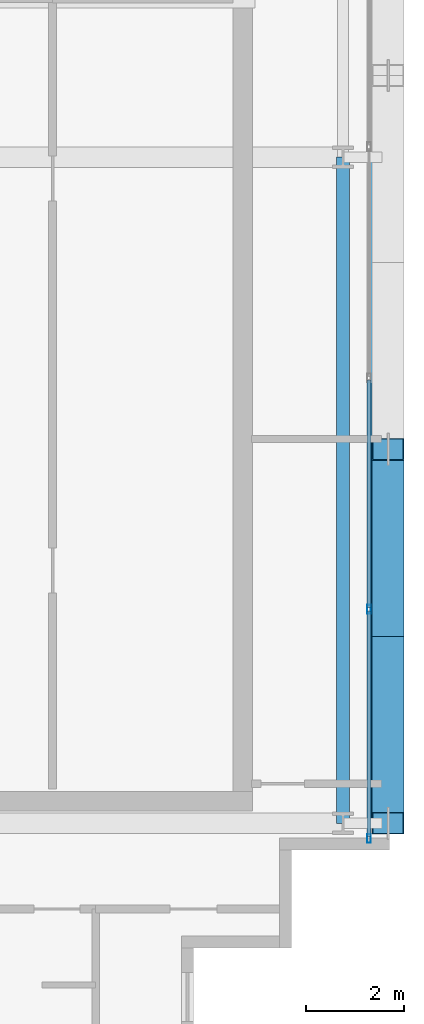
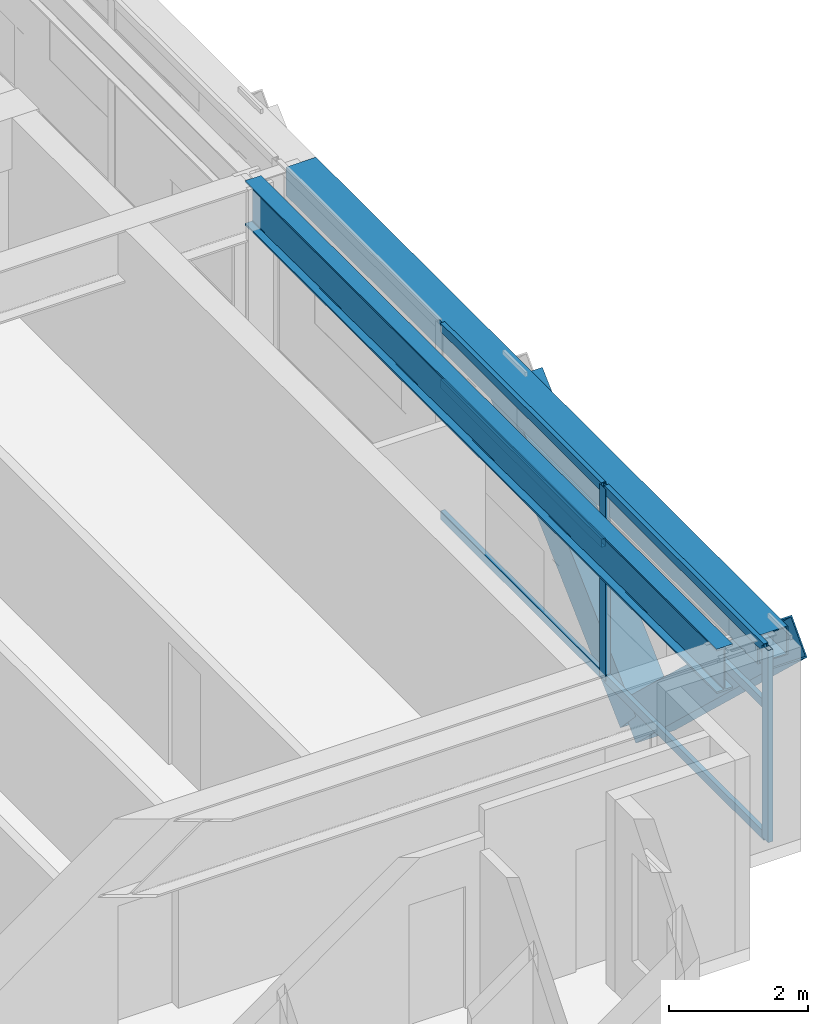
# One storey, part 10 of 27: 10 members, 2 beams, 1 element without a shape of its own.
"""IFC4 building model written with IfcOpenShell, lengths in metres."""

from ifc_helpers import new_model, si_unit, direction, frame, origin, origin_2d, place, context, subcontext, project, spatial, hollow_rectangle, i_section, extrude, source, transform, mapped, material, layer, layer_set, material_profile, profile_set, type_object, element, aggregate, save


model = new_model("IFC4")

# Units and contexts
model_context = context("Model", 3, precision=1e-05, world=origin(), true_north=direction((0.0, 1.0)))
body_context = subcontext(model_context, "Body", "Model", "MODEL_VIEW")
ifc_project = project(units=[si_unit("LENGTHUNIT", "METRE"), si_unit("AREAUNIT", "SQUARE_METRE"), si_unit("VOLUMEUNIT", "CUBIC_METRE"), si_unit("PLANEANGLEUNIT", "RADIAN"), si_unit("MASSUNIT", "GRAM", prefix="KILO")], contexts=[model_context])

# Site, building, storey
site_placement = place(None, origin())
site = spatial("IfcSite", under=ifc_project, at=site_placement, CompositionType="ELEMENT")
building_placement = place(site_placement, origin())
building = spatial("IfcBuilding", under=site, at=building_placement, Name="Ocotamira Hotel", CompositionType="ELEMENT")
storey_placement = place(building_placement, frame((0.0, 0.0, 232.800048828125)))
storey = spatial("IfcBuildingStorey", under=building, at=storey_placement, Name="L58", CompositionType="ELEMENT", Elevation=232.800048828125)

# Beams
ifc_material_1 = material(Name="Steel ASTM A992 Grade 50", Category="steel")
ifc_material_profile_1 = material_profile(ifc_material_1, i_section(OverallWidth=0.26611328125, OverallDepth=0.779052734375, WebThickness=0.0166015625, FlangeThickness=0.030029296875, FilletRadius=0.01806640625, at=origin_2d()), Name="W30X148")
ifc_profile_set_1 = profile_set([ifc_material_profile_1], Name="Steel ASTM A992 Grade 50")
beam_type_1 = type_object("IfcBeamType", Name="BM-GIRD-W30X148", PredefinedType="BEAM", material=ifc_profile_set_1)
shared_shape_1 = source(origin(), body_context, "Body", "SweptSolid", [
    extrude(i_section(OverallWidth=0.26611328125, OverallDepth=0.779052734375, WebThickness=0.0166015625, FlangeThickness=0.030029296875, FilletRadius=0.01806640625, at=origin_2d()), origin(), (0.0, 0.0, 1.0), 13.599853515625),
])
beam_1_placement = place(storey_placement, frame((55.050048828125, 14.550048828125, 2.990478515625), z_axis=(0.0, 1.0, 0.0), x_axis=(-1.0, 0.0, 0.0)))
element("IfcBeam", 1, at=beam_1_placement, inside=storey, type_object=beam_type_1, Name="L58 Beam X55.05 Y14.55-28.15", PredefinedType="BEAM", context=body_context, shape_type="MappedRepresentation", body=[
    mapped(shared_shape_1, transform((0.0, 0.0, 0.0), scale=1.0)),
])
ifc_material_2 = material(Name="Steel ASTM A500 Grade C", Category="steel")
ifc_material_profile_2 = material_profile(ifc_material_2, hollow_rectangle(XDim=0.5, YDim=0.5, WallThickness=0.02001953125, at=origin_2d()), Name="HSS500X500X20")
ifc_profile_set_2 = profile_set([ifc_material_profile_2], Name="Steel ASTM A500 Grade C")
beam_type_2 = type_object("IfcBeamType", Name="BM-SPAN-HSS500", PredefinedType="USERDEFINED", material=ifc_profile_set_2)
shared_shape_2 = source(origin(), body_context, "Body", "SweptSolid", [
    extrude(hollow_rectangle(XDim=0.5, YDim=0.5, WallThickness=0.02001953125, at=origin_2d()), origin(), (0.0, 0.0, 1.0), 13.599853515625),
])
beam_2_placement = place(storey_placement, frame((55.85009765625, 14.550048828125, 3.1298828125), z_axis=(0.0, 1.0, 0.0), x_axis=(-1.0, 0.0, 0.0)))
element("IfcBeam", 2, at=beam_2_placement, inside=storey, type_object=beam_type_2, Name="L58 Edge Spandrel E Y14.55-28.15", ObjectType="SPANDREL", PredefinedType="USERDEFINED", context=body_context, shape_type="MappedRepresentation", body=[
    mapped(shared_shape_2, transform((0.0, 0.0, 0.0), scale=1.0)),
])

# Members
ifc_material_3 = material(Name="Pale-metal coated steel ASTM A913 Grade 65", Category="steel")
ifc_material_profile_3 = material_profile(ifc_material_3, hollow_rectangle(XDim=0.64990234375, YDim=0.64990234375, WallThickness=0.02197265625, at=origin_2d()), Name="BOX650X650X22")
ifc_profile_set_3 = profile_set([ifc_material_profile_3], Name="Pale-metal coated steel ASTM A913 Grade 65")
member_type_1 = type_object("IfcMemberType", Name="MEM-EXO-BOX650", PredefinedType="BRACE", material=ifc_profile_set_3)
shared_shape_3 = source(origin(), body_context, "Body", "SweptSolid", [
    extrude(hollow_rectangle(XDim=0.64990234375, YDim=0.64990234375, WallThickness=0.02197265625, at=origin_2d()), origin(), (0.0, 0.0, 1.0), 5.24658203125),
])
for number, where, z_axis, x_axis, name in (
    (3, (55.969970703125, 18.36669921875, -0.469970703125), (0.0, -0.72746596067, 0.686143772154), (1.0, 0.0, 0.0), "L58 Exoskeleton Diagrid E0.1"),
    (4, (55.969970703125, 18.36669921875, -0.469970703125), (0.0, 0.72746596067, 0.686143772154), (-1.0, 0.0, 0.0), "L58 Exoskeleton Diagrid E0.2"),
):
    element("IfcMember", number, at=place(storey_placement, frame(where, z_axis=z_axis, x_axis=x_axis)), inside=storey, type_object=member_type_1, Name=name, PredefinedType="BRACE", context=body_context, shape_type="MappedRepresentation", body=[
        mapped(shared_shape_3, transform((0.0, 0.0, 0.0), scale=1.0)),
    ])

# Curtain wall, members
ifc_material_4 = material(Name="Anodised pale-metal aluminium and solar glass", Category="aluminium")
ifc_layer = layer(ifc_material_4, 0.239990234375)
ifc_layer_set = layer_set([ifc_layer], Name="Anodised pale-metal aluminium and solar glass")
curtain_wall_type = type_object("IfcCurtainWallType", Name="CW-SYS5-SKY", PredefinedType="NOTDEFINED", material=ifc_layer_set)
curtain_wall_placement = place(storey_placement, origin())
curtain_wall = element("IfcCurtainWall", 5, at=curtain_wall_placement, inside=storey, type_object=curtain_wall_type, Name="L58 Curtain Wall CW-5 CW-L58-E", PredefinedType="NOTDEFINED")
ifc_material_5 = material(Name="Anodised pale-metal aluminium 6063-T6", Category="aluminium")
ifc_material_profile_4 = material_profile(ifc_material_5, hollow_rectangle(XDim=0.080078125, YDim=0.179931640625, WallThickness=0.006103515625, at=origin_2d()), Name="HSS180X80X6")
ifc_profile_set_4 = profile_set([ifc_material_profile_4], Name="Anodised pale-metal aluminium 6063-T6")
member_type_2 = type_object("IfcMemberType", Name="CWM-180X75", PredefinedType="MULLION", material=ifc_profile_set_4)
shared_shape_4 = source(origin(), body_context, "Body", "SweptSolid", [
    extrude(hollow_rectangle(XDim=0.080078125, YDim=0.179931640625, WallThickness=0.006103515625, at=origin_2d()), origin(), (0.0, 0.0, 1.0), 3.3798828125),
])
member_1_placement = place(storey_placement, frame((55.580078125, 14.239990234375, 0.0), z_axis=(0.0, 0.0, 1.0), x_axis=(-1.0, 0.0, 0.0)))
member_1 = element("IfcMember", 6, at=member_1_placement, type_object=member_type_2, Name="CW-5 mullion 1", PredefinedType="MULLION", context=body_context, shape_type="MappedRepresentation", body=[
    mapped(shared_shape_4, transform((0.0, 0.0, 0.0), scale=1.0)),
])
member_2_placement = place(storey_placement, frame((55.580078125, 18.919921875, 0.0), z_axis=(0.0, 0.0, 1.0), x_axis=(-1.0, 0.0, 0.0)))
member_2 = element("IfcMember", 7, at=member_2_placement, type_object=member_type_2, Name="CW-5 mullion 2", PredefinedType="MULLION", context=body_context, shape_type="MappedRepresentation", body=[
    mapped(shared_shape_4, transform((0.0, 0.0, 0.0), scale=1.0)),
])
ifc_material_profile_5 = material_profile(ifc_material_5, hollow_rectangle(XDim=0.074951171875, YDim=0.14990234375, WallThickness=0.006103515625, at=origin_2d()), Name="HSS150X75X6")
ifc_profile_set_5 = profile_set([ifc_material_profile_5], Name="Anodised pale-metal aluminium 6063-T6")
member_type_3 = type_object("IfcMemberType", Name="CWT-150X75", PredefinedType="USERDEFINED", material=ifc_profile_set_5)
shared_shape_5 = source(origin(), body_context, "Body", "SweptSolid", [
    extrude(hollow_rectangle(XDim=0.074951171875, YDim=0.14990234375, WallThickness=0.006103515625, at=origin_2d()), origin(), (0.0, 0.0, 1.0), 4.599853515625),
])
member_3_placement = place(storey_placement, frame((55.580078125, 14.280029296875, 0.037353515625), z_axis=(0.0, 1.0, 0.0), x_axis=(-1.0, 0.0, 0.0)))
member_3 = element("IfcMember", 8, at=member_3_placement, type_object=member_type_3, Name="CW-5 transom 1.1", ObjectType="TRANSOM", PredefinedType="USERDEFINED", context=body_context, shape_type="MappedRepresentation", body=[
    mapped(shared_shape_5, transform((0.0, 0.0, 0.0), scale=1.0)),
])
member_4_placement = place(storey_placement, frame((55.580078125, 14.280029296875, 2.349853515625), z_axis=(0.0, 1.0, 0.0), x_axis=(-1.0, 0.0, 0.0)))
member_4 = element("IfcMember", 9, at=member_4_placement, type_object=member_type_3, Name="CW-5 transom 1.2", ObjectType="TRANSOM", PredefinedType="USERDEFINED", context=body_context, shape_type="MappedRepresentation", body=[
    mapped(shared_shape_5, transform((0.0, 0.0, 0.0), scale=1.0)),
])
member_5_placement = place(storey_placement, frame((55.580078125, 14.280029296875, 3.342529296875), z_axis=(0.0, 1.0, 0.0), x_axis=(-1.0, 0.0, 0.0)))
member_5 = element("IfcMember", 10, at=member_5_placement, type_object=member_type_3, Name="CW-5 transom 1.3", ObjectType="TRANSOM", PredefinedType="USERDEFINED", context=body_context, shape_type="MappedRepresentation", body=[
    mapped(shared_shape_5, transform((0.0, 0.0, 0.0), scale=1.0)),
])
shared_shape_6 = source(origin(), body_context, "Body", "SweptSolid", [
    extrude(hollow_rectangle(XDim=0.074951171875, YDim=0.14990234375, WallThickness=0.006103515625, at=origin_2d()), origin(), (0.0, 0.0, 1.0), 4.64013671875),
])
member_6_placement = place(storey_placement, frame((55.580078125, 18.9599609375, 0.037353515625), z_axis=(0.0, 1.0, 0.0), x_axis=(-1.0, 0.0, 0.0)))
member_6 = element("IfcMember", 11, at=member_6_placement, type_object=member_type_3, Name="CW-5 transom 2.1", ObjectType="TRANSOM", PredefinedType="USERDEFINED", context=body_context, shape_type="MappedRepresentation", body=[
    mapped(shared_shape_6, transform((0.0, 0.0, 0.0), scale=1.0)),
])
member_7_placement = place(storey_placement, frame((55.580078125, 18.9599609375, 2.349853515625), z_axis=(0.0, 1.0, 0.0), x_axis=(-1.0, 0.0, 0.0)))
member_7 = element("IfcMember", 12, at=member_7_placement, type_object=member_type_3, Name="CW-5 transom 2.2", ObjectType="TRANSOM", PredefinedType="USERDEFINED", context=body_context, shape_type="MappedRepresentation", body=[
    mapped(shared_shape_6, transform((0.0, 0.0, 0.0), scale=1.0)),
])
member_8_placement = place(storey_placement, frame((55.580078125, 18.9599609375, 3.342529296875), z_axis=(0.0, 1.0, 0.0), x_axis=(-1.0, 0.0, 0.0)))
member_8 = element("IfcMember", 13, at=member_8_placement, type_object=member_type_3, Name="CW-5 transom 2.3", ObjectType="TRANSOM", PredefinedType="USERDEFINED", context=body_context, shape_type="MappedRepresentation", body=[
    mapped(shared_shape_6, transform((0.0, 0.0, 0.0), scale=1.0)),
])
aggregate(curtain_wall, [member_1, member_2, member_3, member_4, member_5, member_6, member_7, member_8])

save(model, "model.ifc")
